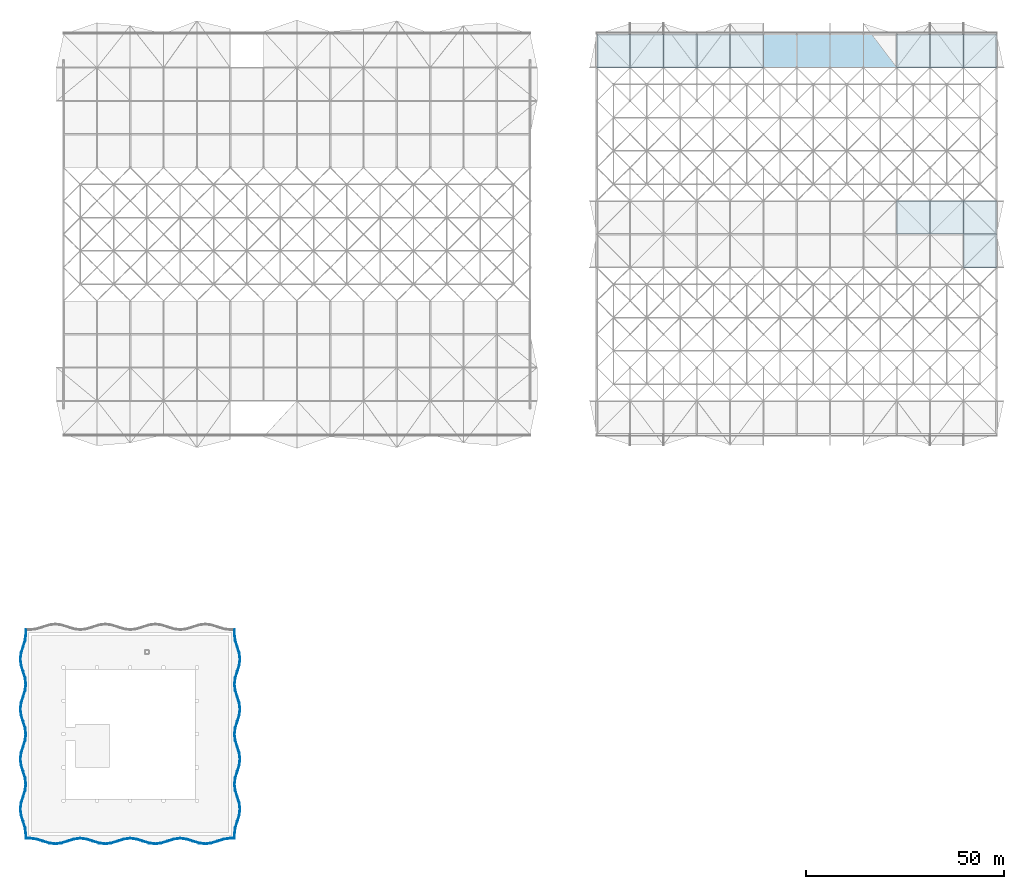
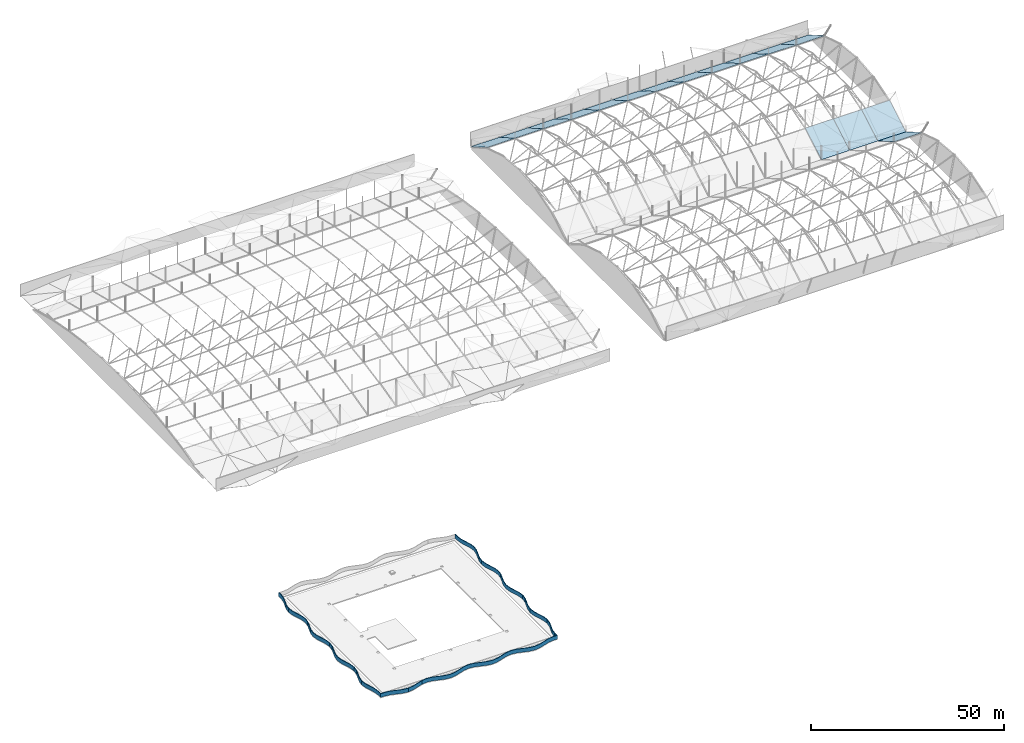
# One storey, part 19 of 111: 16 slabs, 3 walls.
"""IFC4 building model written with IfcOpenShell, lengths in metres."""

from ifc_helpers import new_model, si_unit, direction, frame, origin, place, context, subcontext, project, spatial, polyline, outline, extrude, material, layer, layer_set, type_object, element, save


model = new_model("IFC4")

# Units and contexts
model_context = context("Model", 3, precision=1e-05, world=origin(), true_north=direction((0.0, 1.0)))
body_context = subcontext(model_context, "Body", "Model", "MODEL_VIEW")
ifc_project = project(units=[si_unit("LENGTHUNIT", "METRE"), si_unit("AREAUNIT", "SQUARE_METRE"), si_unit("VOLUMEUNIT", "CUBIC_METRE"), si_unit("PLANEANGLEUNIT", "RADIAN"), si_unit("MASSUNIT", "GRAM", prefix="KILO")], contexts=[model_context])

# Site, building, storey
site_placement = place(None, origin())
site = spatial("IfcSite", under=ifc_project, at=site_placement, CompositionType="ELEMENT")
building_placement = place(site_placement, origin())
building = spatial("IfcBuilding", under=site, at=building_placement, Name="Rain Tree Exposition and Congress Centre", CompositionType="ELEMENT")
storey_placement = place(building_placement, frame((0.0, 0.0, 19.5)))
storey = spatial("IfcBuildingStorey", under=building, at=storey_placement, Name="RF", CompositionType="ELEMENT", Elevation=19.5)

# Slabs
ifc_material_1 = material(Name="Insulated roof panel, S350GD+Z steel skins", Category="steel")
ifc_layer_1 = layer(ifc_material_1, 0.1201171875)
ifc_layer_set_1 = layer_set([ifc_layer_1], Name="Insulated roof panel, S350GD+Z steel skins")
slab_type = type_object("IfcSlabType", Name="Vault roof panel 120", PredefinedType="ROOF", material=ifc_layer_set_1)
slab_1_placement = place(storey_placement, frame((235.199951171875, 142.800048828125, 5.39404296875), z_axis=(0.0, 0.503418138928, 0.864042925669), x_axis=(1.0, 0.0, 0.0)))
element("IfcSlab", 1, at=slab_1_placement, inside=storey, type_object=slab_type, Name="Vault roof panel 72", PredefinedType="ROOF", context=body_context, shape_type="SweptSolid", body=[
    extrude(outline(polyline([(0.0, 0.0), (8.400146484375, 0.0), (8.400146484375, 9.7216261995876), (0.0, 9.7216261995876), (0.0, 0.0)])), origin(), (0.0, 0.0, -1.0), 0.1201171875),
])
slab_2_placement = place(storey_placement, frame((218.39990234375, 151.199951171875, 0.5), z_axis=(0.0, -0.503407215537, 0.864049289882), x_axis=(1.0, 0.0, 0.0)))
element("IfcSlab", 2, at=slab_2_placement, inside=storey, type_object=slab_type, Name="Vault roof panel 82", PredefinedType="ROOF", context=body_context, shape_type="SweptSolid", body=[
    extrude(outline(polyline([(0.0, 0.0), (8.400146484375, 0.0), (8.400146484375, 9.72183714834439), (0.0, 9.72183714834439), (0.0, 0.0)])), origin(), (0.0, 0.0, -1.0), 0.1201171875),
])
slab_3_placement = place(storey_placement, frame((226.800048828125, 151.199951171875, 0.5), z_axis=(0.0, -0.503407215537, 0.864049289882), x_axis=(1.0, 0.0, 0.0)))
element("IfcSlab", 3, at=slab_3_placement, inside=storey, type_object=slab_type, Name="Vault roof panel 83", PredefinedType="ROOF", context=body_context, shape_type="SweptSolid", body=[
    extrude(outline(polyline([(0.0, 0.0), (8.39990234375, 0.0), (8.39990234375, 9.721837148344392), (0.0, 9.721837148344392), (0.0, 0.0)])), origin(), (0.0, 0.0, -1.0), 0.1201171875),
])
slab_4_placement = place(storey_placement, frame((235.199951171875, 151.199951171875, 0.5), z_axis=(0.0, -0.503407215537, 0.864049289882), x_axis=(1.0, 0.0, 0.0)))
element("IfcSlab", 4, at=slab_4_placement, inside=storey, type_object=slab_type, Name="Vault roof panel 84", PredefinedType="ROOF", context=body_context, shape_type="SweptSolid", body=[
    extrude(outline(polyline([(0.0, 0.0), (8.400146484375, 0.0), (8.400146484375, 9.72183714834439), (0.0, 9.72183714834439), (0.0, 0.0)])), origin(), (0.0, 0.0, -1.0), 0.1201171875),
])
slab_5_placement = place(storey_placement, frame((142.800048828125, 193.199951171875, 5.39404296875), z_axis=(0.0, 0.503407215537, 0.864049289882), x_axis=(1.0, 0.0, 0.0)))
element("IfcSlab", 5, at=slab_5_placement, inside=storey, type_object=slab_type, Name="Vault roof panel 133", PredefinedType="ROOF", context=body_context, shape_type="SweptSolid", body=[
    extrude(outline(polyline([(0.0, 0.0), (8.39990234375, 0.0), (8.39990234375, 9.721837148344392), (0.0, 9.721837148344392), (0.0, 0.0)])), origin(), (0.0, 0.0, -1.0), 0.1201171875),
])
slab_6_placement = place(storey_placement, frame((151.199951171875, 193.199951171875, 5.39404296875), z_axis=(0.0, 0.503407215537, 0.864049289882), x_axis=(1.0, 0.0, 0.0)))
element("IfcSlab", 6, at=slab_6_placement, inside=storey, type_object=slab_type, Name="Vault roof panel 134", PredefinedType="ROOF", context=body_context, shape_type="SweptSolid", body=[
    extrude(outline(polyline([(0.0, 0.0), (8.400146484375, 0.0), (8.400146484375, 9.72183714834439), (0.0, 9.72183714834439), (0.0, 0.0)])), origin(), (0.0, 0.0, -1.0), 0.1201171875),
])
for number, where, z_axis, x_axis, name in (
    (7, (159.60009765625, 193.199951171875, 5.39404296875), (0.0, 0.503407215537, 0.864049289882), (1.0, 0.0, 0.0), "Vault roof panel 135"),
    (8, (168.0, 193.199951171875, 5.39404296875), (0.0, 0.503407215537, 0.864049289882), (1.0, 0.0, 0.0), "Vault roof panel 136"),
):
    element("IfcSlab", number, at=place(storey_placement, frame(where, z_axis=z_axis, x_axis=x_axis)), inside=storey, type_object=slab_type, Name=name, PredefinedType="ROOF", context=body_context, shape_type="SweptSolid", body=[
        extrude(outline(polyline([(0.0, 0.0), (8.39990234375, 0.0), (8.39990234375, 9.721837148344392), (0.0, 9.721837148344392), (0.0, 0.0)])), origin(), (0.0, 0.0, -1.0), 0.1201171875),
    ])
slab_7_placement = place(storey_placement, frame((176.39990234375, 193.199951171875, 5.39404296875), z_axis=(0.0, 0.503407215537, 0.864049289882), x_axis=(1.0, 0.0, 0.0)))
element("IfcSlab", 9, at=slab_7_placement, inside=storey, type_object=slab_type, Name="Vault roof panel 137", PredefinedType="ROOF", context=body_context, shape_type="SweptSolid", body=[
    extrude(outline(polyline([(0.0, 0.0), (8.400146484375, 0.0), (8.400146484375, 9.72183714834439), (0.0, 9.72183714834439), (0.0, 0.0)])), origin(), (0.0, 0.0, -1.0), 0.1201171875),
])
slab_8_placement = place(storey_placement, frame((184.800048828125, 193.199951171875, 5.39404296875), z_axis=(0.0, 0.503407215537, 0.864049289882), x_axis=(1.0, 0.0, 0.0)))
element("IfcSlab", 10, at=slab_8_placement, inside=storey, type_object=slab_type, Name="Vault roof panel 138", PredefinedType="ROOF", context=body_context, shape_type="SweptSolid", body=[
    extrude(outline(polyline([(0.0, 0.0), (8.39990234375, 0.0), (8.39990234375, 9.721837148344392), (0.0, 9.721837148344392), (0.0, 0.0)])), origin(), (0.0, 0.0, -1.0), 0.1201171875),
])
slab_9_placement = place(storey_placement, frame((193.199951171875, 193.199951171875, 5.39404296875), z_axis=(0.0, 0.503407215537, 0.864049289882), x_axis=(1.0, 0.0, 0.0)))
element("IfcSlab", 11, at=slab_9_placement, inside=storey, type_object=slab_type, Name="Vault roof panel 139", PredefinedType="ROOF", context=body_context, shape_type="SweptSolid", body=[
    extrude(outline(polyline([(0.0, 0.0), (8.400146484375, 0.0), (8.400146484375, 9.72183714834439), (0.0, 9.72183714834439), (0.0, 0.0)])), origin(), (0.0, 0.0, -1.0), 0.1201171875),
])
for number, where, z_axis, x_axis, name in (
    (12, (201.60009765625, 193.199951171875, 5.39404296875), (0.0, 0.503407215537, 0.864049289882), (1.0, 0.0, 0.0), "Vault roof panel 140"),
    (13, (210.0, 193.199951171875, 5.39404296875), (0.0, 0.503407215537, 0.864049289882), (1.0, 0.0, 0.0), "Vault roof panel 141"),
):
    element("IfcSlab", number, at=place(storey_placement, frame(where, z_axis=z_axis, x_axis=x_axis)), inside=storey, type_object=slab_type, Name=name, PredefinedType="ROOF", context=body_context, shape_type="SweptSolid", body=[
        extrude(outline(polyline([(0.0, 0.0), (8.39990234375, 0.0), (8.39990234375, 9.721837148344392), (0.0, 9.721837148344392), (0.0, 0.0)])), origin(), (0.0, 0.0, -1.0), 0.1201171875),
    ])
slab_10_placement = place(storey_placement, frame((218.39990234375, 193.199951171875, 5.39404296875), z_axis=(0.0, 0.503407215537, 0.864049289882), x_axis=(1.0, 0.0, 0.0)))
element("IfcSlab", 14, at=slab_10_placement, inside=storey, type_object=slab_type, Name="Vault roof panel 142", PredefinedType="ROOF", context=body_context, shape_type="SweptSolid", body=[
    extrude(outline(polyline([(0.0, 0.0), (8.400146484375, 0.0), (8.400146484375, 9.72183714834439), (0.0, 9.72183714834439), (0.0, 0.0)])), origin(), (0.0, 0.0, -1.0), 0.1201171875),
])
slab_11_placement = place(storey_placement, frame((226.800048828125, 193.199951171875, 5.39404296875), z_axis=(0.0, 0.503407215537, 0.864049289882), x_axis=(1.0, 0.0, 0.0)))
element("IfcSlab", 15, at=slab_11_placement, inside=storey, type_object=slab_type, Name="Vault roof panel 143", PredefinedType="ROOF", context=body_context, shape_type="SweptSolid", body=[
    extrude(outline(polyline([(0.0, 0.0), (8.39990234375, 0.0), (8.39990234375, 9.721837148344392), (0.0, 9.721837148344392), (0.0, 0.0)])), origin(), (0.0, 0.0, -1.0), 0.1201171875),
])
slab_12_placement = place(storey_placement, frame((235.199951171875, 193.199951171875, 5.39404296875), z_axis=(0.0, 0.503407215537, 0.864049289882), x_axis=(1.0, 0.0, 0.0)))
element("IfcSlab", 16, at=slab_12_placement, inside=storey, type_object=slab_type, Name="Vault roof panel 144", PredefinedType="ROOF", context=body_context, shape_type="SweptSolid", body=[
    extrude(outline(polyline([(0.0, 0.0), (8.400146484375, 0.0), (8.400146484375, 9.72183714834439), (0.0, 9.72183714834439), (0.0, 0.0)])), origin(), (0.0, 0.0, -1.0), 0.1201171875),
])

# Walls
ifc_material_2 = material(Name="Concrete C40/50", Category="concrete")
ifc_layer_2 = layer(ifc_material_2, 0.199951171875)
ifc_layer_set_2 = layer_set([ifc_layer_2], Name="Concrete C40/50")
wall_type = type_object("IfcWallType", Name="Wave parapet band 200", PredefinedType="PARAPET", material=ifc_layer_set_2)
wall_1_placement = place(storey_placement, origin())
element("IfcWall", 17, at=wall_1_placement, inside=storey, type_object=wall_type, Name="wing/band/RF/01", PredefinedType="PARAPET", context=body_context, shape_type="SweptSolid", body=[
    extrude(outline(polyline([(50.39990234375, -1.1875), (51.587646484375, -1.1875), (51.3876953125, -0.987548828125), (50.386962890625, -0.987548828125), (48.78173828125, -1.196533203125), (47.18994140625, -1.69677734375), (45.6318359375, -2.1865234375), (44.10009765625, -2.385986328125), (42.568115234375, -2.1865234375), (41.010009765625, -1.69677734375), (39.418212890625, -1.196533203125), (37.800048828125, -0.98583984375), (36.181884765625, -1.196533203125), (34.590087890625, -1.69677734375), (33.03173828125, -2.1865234375), (31.5, -2.385986328125), (29.96826171875, -2.1865234375), (28.409912109375, -1.69677734375), (26.818115234375, -1.196533203125), (25.199951171875, -0.98583984375), (23.581787109375, -1.196533203125), (21.989990234375, -1.69677734375), (20.431884765625, -2.1865234375), (18.89990234375, -2.385986328125), (17.3681640625, -2.1865234375), (15.81005859375, -1.69677734375), (14.21826171875, -1.196533203125), (12.60009765625, -0.98583984375), (10.981689453125, -1.196533203125), (9.389892578125, -1.69677734375), (7.831787109375, -2.1865234375), (6.300048828125, -2.385986328125), (4.768310546875, -2.1865234375), (3.2099609375, -1.69677734375), (1.6181640625, -1.196533203125), (0.012939453125, -0.987548828125), (-0.987548828125, -0.987548828125), (-1.1875, -1.1875), (0.0, -1.1875), (1.574951171875, -1.392578125), (3.14990234375, -1.8876953125), (4.72509765625, -2.382568359375), (6.300048828125, -2.587646484375), (7.875, -2.382568359375), (9.449951171875, -1.8876953125), (11.02490234375, -1.392578125), (12.60009765625, -1.1875), (14.175048828125, -1.392578125), (15.75, -1.8876953125), (17.324951171875, -2.382568359375), (18.89990234375, -2.587646484375), (20.47509765625, -2.382568359375), (22.050048828125, -1.8876953125), (23.625, -1.392578125), (25.199951171875, -1.1875), (26.77490234375, -1.392578125), (28.35009765625, -1.8876953125), (29.925048828125, -2.382568359375), (31.5, -2.587646484375), (33.074951171875, -2.382568359375), (34.64990234375, -1.8876953125), (36.22509765625, -1.392578125), (37.800048828125, -1.1875), (39.375, -1.392578125), (40.949951171875, -1.8876953125), (42.52490234375, -2.382568359375), (44.10009765625, -2.587646484375), (45.675048828125, -2.382568359375), (47.25, -1.8876953125), (48.824951171875, -1.392578125), (50.39990234375, -1.1875)])), origin(), (0.0, 0.0, 1.0), 1.199951171875),
])
wall_2_placement = place(storey_placement, origin())
element("IfcWall", 18, at=wall_2_placement, inside=storey, type_object=wall_type, Name="wing/band/RF/02", PredefinedType="PARAPET", context=body_context, shape_type="SweptSolid", body=[
    extrude(outline(polyline([(51.587646484375, 50.39990234375), (51.587646484375, 51.587646484375), (51.3876953125, 51.3876953125), (51.3876953125, 50.386962890625), (51.596435546875, 48.78173828125), (52.0966796875, 47.18994140625), (52.58642578125, 45.6318359375), (52.785888671875, 44.10009765625), (52.58642578125, 42.568115234375), (52.0966796875, 41.010009765625), (51.596435546875, 39.418212890625), (51.385986328125, 37.800048828125), (51.596435546875, 36.181884765625), (52.0966796875, 34.590087890625), (52.58642578125, 33.03173828125), (52.785888671875, 31.5), (52.58642578125, 29.96826171875), (52.0966796875, 28.409912109375), (51.596435546875, 26.818115234375), (51.385986328125, 25.199951171875), (51.596435546875, 23.581787109375), (52.0966796875, 21.989990234375), (52.58642578125, 20.431884765625), (52.785888671875, 18.89990234375), (52.58642578125, 17.3681640625), (52.0966796875, 15.81005859375), (51.596435546875, 14.21826171875), (51.385986328125, 12.60009765625), (51.596435546875, 10.981689453125), (52.0966796875, 9.389892578125), (52.58642578125, 7.831787109375), (52.785888671875, 6.300048828125), (52.58642578125, 4.768310546875), (52.0966796875, 3.2099609375), (51.596435546875, 1.6181640625), (51.3876953125, 0.012939453125), (51.3876953125, -0.987548828125), (51.587646484375, -1.1875), (51.587646484375, 0.0), (51.79248046875, 1.574951171875), (52.28759765625, 3.14990234375), (52.78271484375, 4.72509765625), (52.987548828125, 6.300048828125), (52.78271484375, 7.875), (52.28759765625, 9.449951171875), (51.79248046875, 11.02490234375), (51.587646484375, 12.60009765625), (51.79248046875, 14.175048828125), (52.28759765625, 15.75), (52.78271484375, 17.324951171875), (52.987548828125, 18.89990234375), (52.78271484375, 20.47509765625), (52.28759765625, 22.050048828125), (51.79248046875, 23.625), (51.587646484375, 25.199951171875), (51.79248046875, 26.77490234375), (52.28759765625, 28.35009765625), (52.78271484375, 29.925048828125), (52.987548828125, 31.5), (52.78271484375, 33.074951171875), (52.28759765625, 34.64990234375), (51.79248046875, 36.22509765625), (51.587646484375, 37.800048828125), (51.79248046875, 39.375), (52.28759765625, 40.949951171875), (52.78271484375, 42.52490234375), (52.987548828125, 44.10009765625), (52.78271484375, 45.675048828125), (52.28759765625, 47.25), (51.79248046875, 48.824951171875), (51.587646484375, 50.39990234375)])), origin(), (0.0, 0.0, 1.0), 1.199951171875),
])
wall_3_placement = place(storey_placement, origin())
element("IfcWall", 19, at=wall_3_placement, inside=storey, type_object=wall_type, Name="wing/band/RF/04", PredefinedType="PARAPET", context=body_context, shape_type="SweptSolid", body=[
    extrude(outline(polyline([(-1.1875, 0.0), (-1.1875, -1.1875), (-0.987548828125, -0.987548828125), (-0.987548828125, 0.012939453125), (-1.196533203125, 1.6181640625), (-1.69677734375, 3.2099609375), (-2.1865234375, 4.768310546875), (-2.385986328125, 6.300048828125), (-2.1865234375, 7.831787109375), (-1.69677734375, 9.389892578125), (-1.196533203125, 10.981689453125), (-0.98583984375, 12.60009765625), (-1.196533203125, 14.21826171875), (-1.69677734375, 15.81005859375), (-2.1865234375, 17.3681640625), (-2.385986328125, 18.89990234375), (-2.1865234375, 20.431884765625), (-1.69677734375, 21.989990234375), (-1.196533203125, 23.581787109375), (-0.98583984375, 25.199951171875), (-1.196533203125, 26.818115234375), (-1.69677734375, 28.409912109375), (-2.1865234375, 29.96826171875), (-2.385986328125, 31.5), (-2.1865234375, 33.03173828125), (-1.69677734375, 34.590087890625), (-1.196533203125, 36.181884765625), (-0.98583984375, 37.800048828125), (-1.196533203125, 39.418212890625), (-1.69677734375, 41.010009765625), (-2.1865234375, 42.568115234375), (-2.385986328125, 44.10009765625), (-2.1865234375, 45.6318359375), (-1.69677734375, 47.18994140625), (-1.196533203125, 48.78173828125), (-0.987548828125, 50.386962890625), (-0.987548828125, 51.3876953125), (-1.1875, 51.587646484375), (-1.1875, 50.39990234375), (-1.392578125, 48.824951171875), (-1.8876953125, 47.25), (-2.382568359375, 45.675048828125), (-2.587646484375, 44.10009765625), (-2.382568359375, 42.52490234375), (-1.8876953125, 40.949951171875), (-1.392578125, 39.375), (-1.1875, 37.800048828125), (-1.392578125, 36.22509765625), (-1.8876953125, 34.64990234375), (-2.382568359375, 33.074951171875), (-2.587646484375, 31.5), (-2.382568359375, 29.925048828125), (-1.8876953125, 28.35009765625), (-1.392578125, 26.77490234375), (-1.1875, 25.199951171875), (-1.392578125, 23.625), (-1.8876953125, 22.050048828125), (-2.382568359375, 20.47509765625), (-2.587646484375, 18.89990234375), (-2.382568359375, 17.324951171875), (-1.8876953125, 15.75), (-1.392578125, 14.175048828125), (-1.1875, 12.60009765625), (-1.392578125, 11.02490234375), (-1.8876953125, 9.449951171875), (-2.382568359375, 7.875), (-2.587646484375, 6.300048828125), (-2.382568359375, 4.72509765625), (-1.8876953125, 3.14990234375), (-1.392578125, 1.574951171875), (-1.1875, 0.0)])), origin(), (0.0, 0.0, 1.0), 1.199951171875),
])

save(model, "model.ifc")
